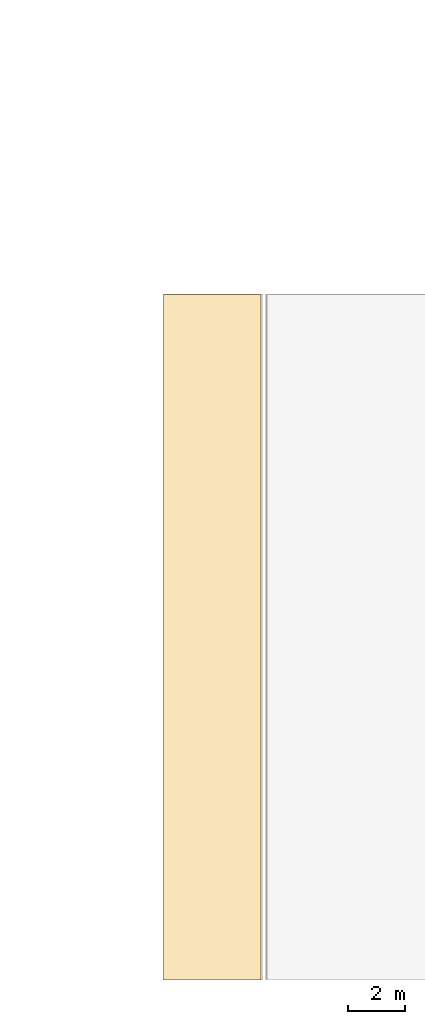
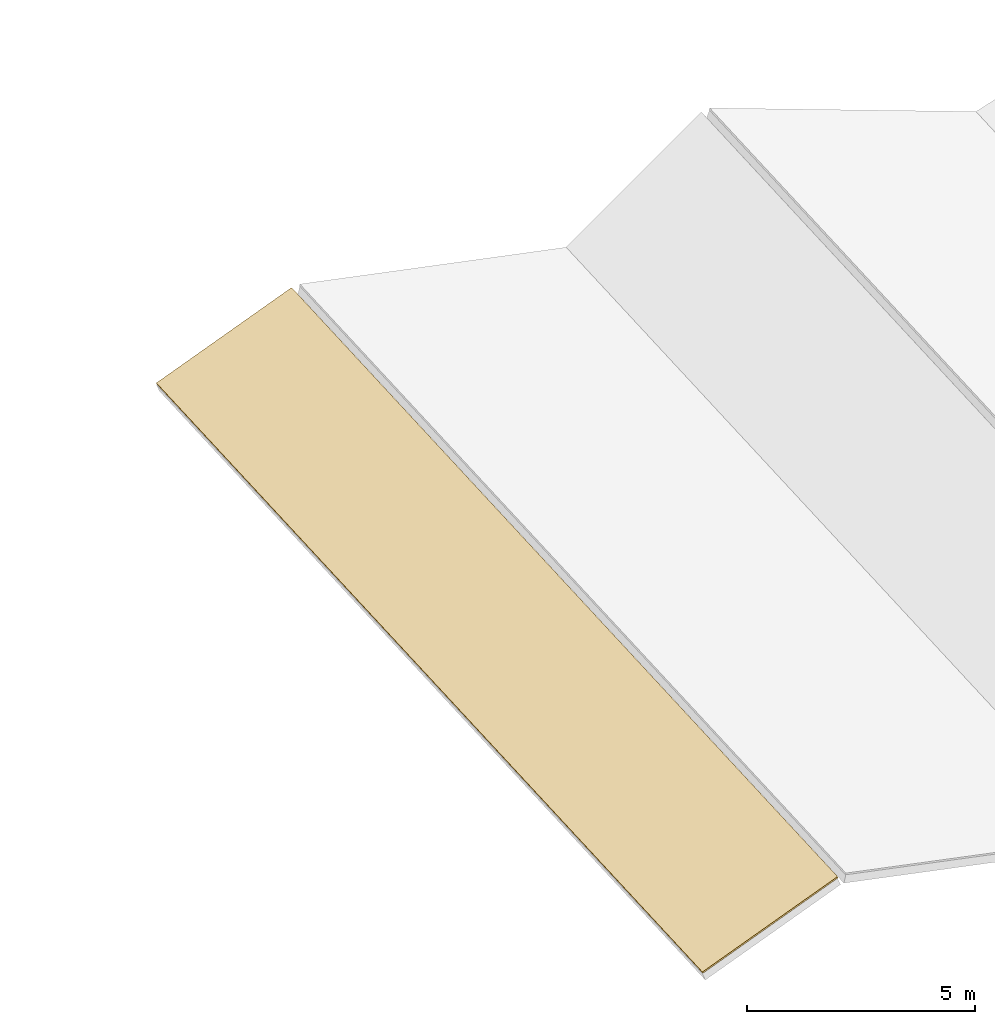
# One storey, part 38 of 74: 1 covering.
"""IFC4 building model written with IfcOpenShell, lengths in metres."""

from ifc_helpers import new_model, si_unit, direction, frame, origin, place, context, subcontext, project, spatial, polyline, outline, extrude, material, layer, layer_set, type_object, element, save


model = new_model("IFC4")

# Units and contexts
model_context = context("Model", 3, precision=1e-05, world=origin(), true_north=direction((0.0, 1.0)))
body_context = subcontext(model_context, "Body", "Model", "MODEL_VIEW")
ifc_project = project(units=[si_unit("LENGTHUNIT", "METRE"), si_unit("AREAUNIT", "SQUARE_METRE"), si_unit("VOLUMEUNIT", "CUBIC_METRE"), si_unit("PLANEANGLEUNIT", "RADIAN"), si_unit("MASSUNIT", "GRAM", prefix="KILO")], contexts=[model_context])

# Site, building, storey
site_placement = place(None, origin())
site = spatial("IfcSite", under=ifc_project, at=site_placement, CompositionType="ELEMENT")
building_placement = place(site_placement, origin())
building = spatial("IfcBuilding", under=site, at=building_placement, Name="Kestramere Prow Commons", CompositionType="ELEMENT")
storey_placement = place(building_placement, frame((0.0, 0.0, 11.64990234375)))
storey = spatial("IfcBuildingStorey", under=building, at=storey_placement, Name="L03", CompositionType="ELEMENT", Elevation=11.64990234375)

# Covering
ifc_material = material(Name="Fluoropolymer Standing-Seam Zinc-Aluminium Roofing", Category="aluminium")
ifc_layer = layer(ifc_material, 0.044921875)
ifc_layer_set = layer_set([ifc_layer], Name="Fluoropolymer Standing-Seam Zinc-Aluminium Roofing")
covering_type = type_object("IfcCoveringType", Name="COV-ROOF-SEAM", PredefinedType="ROOFING", material=ifc_layer_set)
covering_placement = place(storey_placement, frame((60.0, 0.0, 0.545166015625), z_axis=(-0.36769502661, -0.048369149602, 0.928687672349), x_axis=(0.929775949361, 0.0, 0.368125907795)))
element("IfcCovering", 1, at=covering_placement, inside=storey, type_object=covering_type, Name="Market Folded-Plate Roofing SL-MK-ROOF-0-L", PredefinedType="ROOFING", context=body_context, shape_type="SweptSolid", body=[
    extrude(outline(polyline([(0.0, 0.0), (3.69003758968291, -1.3877787807814457e-17), (4.150194974426763, 24.02812425432467), (0.4601573847438534, 24.02812425432467), (0.0, 0.0)])), origin(), (0.0, 0.0, -1.0), 0.044921875),
])

save(model, "model.ifc")
